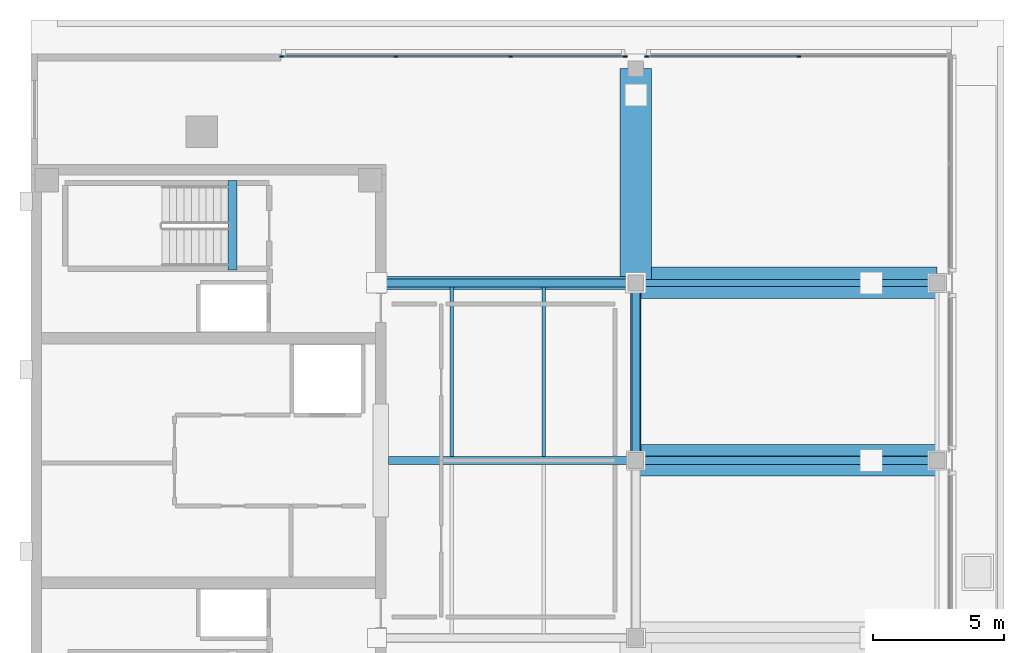
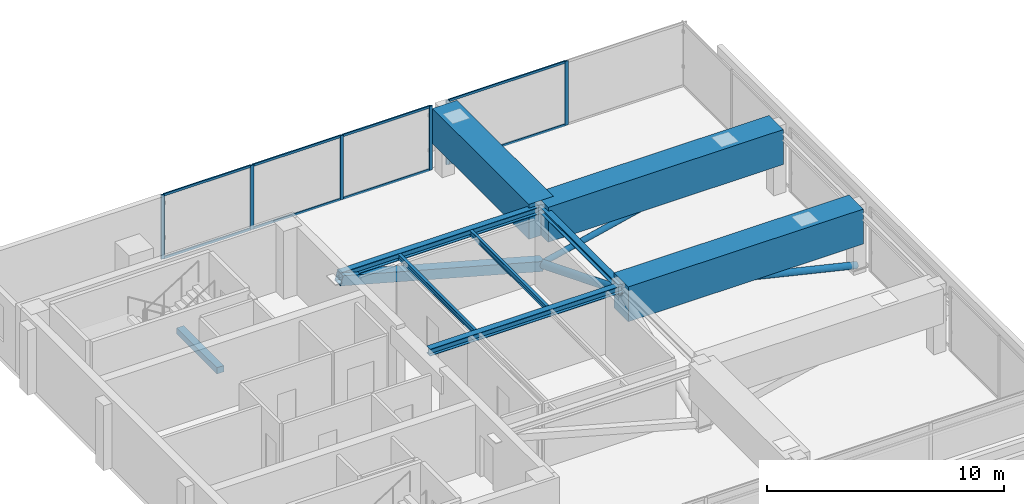
# One storey, part 3 of 11: 18 members, 9 beams, 2 elements without a shape of their own.
"""IFC4 building model written with IfcOpenShell, lengths in metres."""

from ifc_helpers import new_model, si_unit, direction, frame, origin, origin_2d, place, context, subcontext, project, spatial, rectangle, hollow_rectangle, hollow_circle, i_section, extrude, material, layer, layer_set, material_profile, profile_set, type_object, element, aggregate, save


model = new_model("IFC4")

# Units and contexts
model_context = context("Model", 3, precision=1e-05, world=origin(), true_north=direction((0.0, 1.0)))
body_context = subcontext(model_context, "Body", "Model", "MODEL_VIEW")
ifc_project = project(units=[si_unit("LENGTHUNIT", "METRE"), si_unit("AREAUNIT", "SQUARE_METRE"), si_unit("VOLUMEUNIT", "CUBIC_METRE"), si_unit("PLANEANGLEUNIT", "RADIAN"), si_unit("MASSUNIT", "GRAM", prefix="KILO")], contexts=[model_context])

# Site, building, storey
site_placement = place(None, origin())
site = spatial("IfcSite", under=ifc_project, at=site_placement, CompositionType="ELEMENT")
building_placement = place(site_placement, origin())
building = spatial("IfcBuilding", under=site, at=building_placement, Name="Kinhvarn Gate Tower", CompositionType="ELEMENT")
storey_placement = place(building_placement, frame((0.0, 0.0, 307.550048828125)))
storey = spatial("IfcBuildingStorey", under=building, at=storey_placement, Name="L81", CompositionType="ELEMENT", Elevation=307.550048828125)

# Beams
ifc_material_1 = material(Name="Concrete C50/60", Category="concrete")
ifc_material_profile_1 = material_profile(ifc_material_1, rectangle(XDim=0.340087890625, YDim=0.320068359375, at=origin_2d()), Name="RC 340x320")
ifc_profile_set_1 = profile_set([ifc_material_profile_1], Name="Concrete C50/60")
beam_type_1 = type_object("IfcBeamType", Name="BM-LND-500", PredefinedType="BEAM", material=ifc_profile_set_1)
beam_1_placement = place(storey_placement, frame((12.1650390625, 32.5, -0.16015625), z_axis=(0.0, 1.0, 0.0), x_axis=(-1.0, 0.0, 0.0)))
element("IfcBeam", 1, at=beam_1_placement, inside=storey, type_object=beam_type_1, Name="Stair ST2 Landing Nosing Beam (L81)", PredefinedType="BEAM", context=body_context, shape_type="SweptSolid", body=[
    extrude(rectangle(XDim=0.340087890625, YDim=0.320068359375, at=origin_2d()), origin(), (0.0, 0.0, 1.0), 3.39990234375),
])
ifc_material_profile_2 = material_profile(ifc_material_1, rectangle(XDim=1.199951171875, YDim=1.800048828125, at=origin_2d()), Name="RC 1200x1800")
ifc_profile_set_2 = profile_set([ifc_material_profile_2], Name="Concrete C50/60")
beam_type_2 = type_object("IfcBeamType", Name="BM-TG-1800", PredefinedType="BEAM", material=ifc_profile_set_2)
for number, where, z_axis, x_axis, name in (
    (2, (27.5, 25.25, 2.599853515625), (1.0, 0.0, 0.0), (0.0, 1.0, 0.0), "Setback Transfer Girder TG-03-L82-CCR-E2"),
    (3, (27.5, 32.0, 2.599853515625), (1.0, 0.0, 0.0), (0.0, 1.0, 0.0), "Setback Transfer Girder TG-03-L82-CCR-E3"),
):
    element("IfcBeam", number, at=place(storey_placement, frame(where, z_axis=z_axis, x_axis=x_axis)), inside=storey, type_object=beam_type_2, Name=name, PredefinedType="BEAM", context=body_context, shape_type="SweptSolid", body=[
        extrude(rectangle(XDim=1.199951171875, YDim=1.800048828125, at=origin_2d()), origin(), (0.0, 0.0, 1.0), 11.449951171875),
    ])
beam_2_placement = place(storey_placement, frame((27.5, 32.0, 2.599853515625), z_axis=(0.0, 1.0, 0.0), x_axis=(-1.0, 0.0, 0.0)))
element("IfcBeam", 4, at=beam_2_placement, inside=storey, type_object=beam_type_2, Name="Setback Transfer Girder TG-03-L82-CCR-N1", PredefinedType="BEAM", context=body_context, shape_type="SweptSolid", body=[
    extrude(rectangle(XDim=1.199951171875, YDim=1.800048828125, at=origin_2d()), origin(), (0.0, 0.0, 1.0), 8.14990234375),
])

# Curtain wall, members
ifc_material_2 = material(Name="Anodised aluminium AW-6063", Category="aluminium")
ifc_layer = layer(ifc_material_2, 0.199951171875)
ifc_layer_set = layer_set([ifc_layer], Name="Anodised aluminium AW-6063")
curtain_wall_type = type_object("IfcCurtainWallType", Name="CW-SYS-6", PredefinedType="NOTDEFINED", material=ifc_layer_set)
curtain_wall_1_placement = place(storey_placement, origin())
curtain_wall_1 = element("IfcCurtainWall", 5, at=curtain_wall_1_placement, inside=storey, type_object=curtain_wall_type, Name="Curtain Wall CW6 (L81)", PredefinedType="NOTDEFINED")
ifc_material_profile_3 = material_profile(ifc_material_2, rectangle(XDim=0.06494140625, YDim=0.159912109375, at=origin_2d()), Name="ALU 65x160")
ifc_profile_set_3 = profile_set([ifc_material_profile_3], Name="Anodised aluminium AW-6063")
member_type_1 = type_object("IfcMemberType", Name="CW-MUL-160", PredefinedType="MULLION", material=ifc_profile_set_3)
member_1_placement = place(storey_placement, frame((33.68994140625, 40.610107421875, 0.0), z_axis=(0.0, 0.0, 1.0), x_axis=(0.0, -1.0, 0.0)))
member_1 = element("IfcMember", 6, at=member_1_placement, type_object=member_type_1, Name="CW6 mullion 2", PredefinedType="MULLION", context=body_context, shape_type="SweptSolid", body=[
    extrude(rectangle(XDim=0.06494140625, YDim=0.159912109375, at=origin_2d()), origin(), (0.0, 0.0, 1.0), 3.300048828125),
])
member_2_placement = place(storey_placement, frame((27.91259765625, 40.610107421875, 0.0), z_axis=(0.0, 0.0, 1.0), x_axis=(0.0, -1.0, 0.0)))
member_2 = element("IfcMember", 7, at=member_2_placement, type_object=member_type_1, Name="CW6 mullion 3", PredefinedType="MULLION", context=body_context, shape_type="SweptSolid", body=[
    extrude(rectangle(XDim=0.06494140625, YDim=0.159912109375, at=origin_2d()), origin(), (0.0, 0.0, 1.0), 3.300048828125),
])

curtain_wall_2_placement = place(storey_placement, origin())
curtain_wall_2 = element("IfcCurtainWall", 8, at=curtain_wall_2_placement, inside=storey, type_object=curtain_wall_type, Name="Curtain Wall CW6 (L81)", PredefinedType="NOTDEFINED")
member_3_placement = place(storey_placement, frame((27.08740234375, 40.610107421875, 0.0), z_axis=(0.0, 0.0, 1.0), x_axis=(0.0, -1.0, 0.0)))
member_3 = element("IfcMember", 9, at=member_3_placement, type_object=member_type_1, Name="CW6 mullion 1", PredefinedType="MULLION", context=body_context, shape_type="SweptSolid", body=[
    extrude(rectangle(XDim=0.06494140625, YDim=0.159912109375, at=origin_2d()), origin(), (0.0, 0.0, 1.0), 3.300048828125),
])
member_4_placement = place(storey_placement, frame((22.74658203125, 40.610107421875, 0.0), z_axis=(0.0, 0.0, 1.0), x_axis=(0.0, -1.0, 0.0)))
member_4 = element("IfcMember", 10, at=member_4_placement, type_object=member_type_1, Name="CW6 mullion 2", PredefinedType="MULLION", context=body_context, shape_type="SweptSolid", body=[
    extrude(rectangle(XDim=0.06494140625, YDim=0.159912109375, at=origin_2d()), origin(), (0.0, 0.0, 1.0), 3.300048828125),
])
member_5_placement = place(storey_placement, frame((18.373291015625, 40.610107421875, 0.0), z_axis=(0.0, 0.0, 1.0), x_axis=(0.0, -1.0, 0.0)))
member_5 = element("IfcMember", 11, at=member_5_placement, type_object=member_type_1, Name="CW6 mullion 3", PredefinedType="MULLION", context=body_context, shape_type="SweptSolid", body=[
    extrude(rectangle(XDim=0.06494140625, YDim=0.159912109375, at=origin_2d()), origin(), (0.0, 0.0, 1.0), 3.300048828125),
])
member_6_placement = place(storey_placement, frame((14.032470703125, 40.610107421875, 0.0), z_axis=(0.0, 0.0, 1.0), x_axis=(0.0, -1.0, 0.0)))
member_6 = element("IfcMember", 12, at=member_6_placement, type_object=member_type_1, Name="CW6 mullion 4", PredefinedType="MULLION", context=body_context, shape_type="SweptSolid", body=[
    extrude(rectangle(XDim=0.06494140625, YDim=0.159912109375, at=origin_2d()), origin(), (0.0, 0.0, 1.0), 3.300048828125),
])

# Member
ifc_material_profile_4 = material_profile(ifc_material_2, rectangle(XDim=0.06494140625, YDim=0.1201171875, at=origin_2d()), Name="ALU 65x120")
ifc_profile_set_4 = profile_set([ifc_material_profile_4], Name="Anodised aluminium AW-6063")
member_type_2 = type_object("IfcMemberType", Name="CW-TRN-120", PredefinedType="USERDEFINED", material=ifc_profile_set_4)
member_7_placement = place(storey_placement, frame((33.657470703125, 40.610107421875, 0.032470703125), z_axis=(-1.0, 0.0, 0.0), x_axis=(0.0, -1.0, 0.0)))
member_7 = element("IfcMember", 13, at=member_7_placement, type_object=member_type_2, Name="CW6 transom 2.1", ObjectType="TRANSOM", PredefinedType="USERDEFINED", context=body_context, shape_type="SweptSolid", body=[
    extrude(rectangle(XDim=0.06494140625, YDim=0.1201171875, at=origin_2d()), origin(), (0.0, 0.0, 1.0), 5.71240234375),
])

member_8_placement = place(storey_placement, frame((33.657470703125, 40.610107421875, 3.267333984375), z_axis=(-1.0, 0.0, 0.0), x_axis=(0.0, -1.0, 0.0)))
member_8 = element("IfcMember", 14, at=member_8_placement, type_object=member_type_2, Name="CW6 transom 2.2", ObjectType="TRANSOM", PredefinedType="USERDEFINED", context=body_context, shape_type="SweptSolid", body=[
    extrude(rectangle(XDim=0.06494140625, YDim=0.1201171875, at=origin_2d()), origin(), (0.0, 0.0, 1.0), 5.71240234375),
])

aggregate(curtain_wall_1, [member_1, member_2, member_7, member_8])

member_9_placement = place(storey_placement, frame((27.054931640625, 40.610107421875, 0.032470703125), z_axis=(-1.0, 0.0, 0.0), x_axis=(0.0, -1.0, 0.0)))
member_9 = element("IfcMember", 15, at=member_9_placement, type_object=member_type_2, Name="CW6 transom 1.1", ObjectType="TRANSOM", PredefinedType="USERDEFINED", context=body_context, shape_type="SweptSolid", body=[
    extrude(rectangle(XDim=0.06494140625, YDim=0.1201171875, at=origin_2d()), origin(), (0.0, 0.0, 1.0), 4.27587890625),
])

member_10_placement = place(storey_placement, frame((27.054931640625, 40.610107421875, 3.267333984375), z_axis=(-1.0, 0.0, 0.0), x_axis=(0.0, -1.0, 0.0)))
member_10 = element("IfcMember", 16, at=member_10_placement, type_object=member_type_2, Name="CW6 transom 1.2", ObjectType="TRANSOM", PredefinedType="USERDEFINED", context=body_context, shape_type="SweptSolid", body=[
    extrude(rectangle(XDim=0.06494140625, YDim=0.1201171875, at=origin_2d()), origin(), (0.0, 0.0, 1.0), 4.27587890625),
])

member_11_placement = place(storey_placement, frame((22.714111328125, 40.610107421875, 0.032470703125), z_axis=(-1.0, 0.0, 0.0), x_axis=(0.0, -1.0, 0.0)))
member_11 = element("IfcMember", 17, at=member_11_placement, type_object=member_type_2, Name="CW6 transom 2.1", ObjectType="TRANSOM", PredefinedType="USERDEFINED", context=body_context, shape_type="SweptSolid", body=[
    extrude(rectangle(XDim=0.06494140625, YDim=0.1201171875, at=origin_2d()), origin(), (0.0, 0.0, 1.0), 4.308349609375),
])

member_12_placement = place(storey_placement, frame((22.714111328125, 40.610107421875, 3.267333984375), z_axis=(-1.0, 0.0, 0.0), x_axis=(0.0, -1.0, 0.0)))
member_12 = element("IfcMember", 18, at=member_12_placement, type_object=member_type_2, Name="CW6 transom 2.2", ObjectType="TRANSOM", PredefinedType="USERDEFINED", context=body_context, shape_type="SweptSolid", body=[
    extrude(rectangle(XDim=0.06494140625, YDim=0.1201171875, at=origin_2d()), origin(), (0.0, 0.0, 1.0), 4.308349609375),
])

member_13_placement = place(storey_placement, frame((18.3408203125, 40.610107421875, 0.032470703125), z_axis=(-1.0, 0.0, 0.0), x_axis=(0.0, -1.0, 0.0)))
member_13 = element("IfcMember", 19, at=member_13_placement, type_object=member_type_2, Name="CW6 transom 3.1", ObjectType="TRANSOM", PredefinedType="USERDEFINED", context=body_context, shape_type="SweptSolid", body=[
    extrude(rectangle(XDim=0.06494140625, YDim=0.1201171875, at=origin_2d()), origin(), (0.0, 0.0, 1.0), 4.27587890625),
])

member_14_placement = place(storey_placement, frame((18.3408203125, 40.610107421875, 3.267333984375), z_axis=(-1.0, 0.0, 0.0), x_axis=(0.0, -1.0, 0.0)))
member_14 = element("IfcMember", 20, at=member_14_placement, type_object=member_type_2, Name="CW6 transom 3.2", ObjectType="TRANSOM", PredefinedType="USERDEFINED", context=body_context, shape_type="SweptSolid", body=[
    extrude(rectangle(XDim=0.06494140625, YDim=0.1201171875, at=origin_2d()), origin(), (0.0, 0.0, 1.0), 4.27587890625),
])

aggregate(curtain_wall_2, [member_3, member_4, member_5, member_6, member_9, member_10, member_11, member_12, member_13, member_14])

# Members
ifc_material_3 = material(Name="Steel S355", Category="steel")
ifc_material_profile_5 = material_profile(ifc_material_3, hollow_circle(Radius=0.136474609375, WallThickness=0.011962890625, at=origin_2d()), Name="CHS 273x12")
ifc_profile_set_5 = profile_set([ifc_material_profile_5], Name="Steel S355")
member_type_3 = type_object("IfcMemberType", Name="MBR-CHS273x12", PredefinedType="BRACE", material=ifc_profile_set_5)
member_15_placement = place(storey_placement, frame((27.5, 32.0, 0.25), z_axis=(0.973306279804, 0.0, 0.229510099327), x_axis=(0.0, 1.0, 0.0)))
element("IfcMember", 21, at=member_15_placement, inside=storey, type_object=member_type_3, Name="Crown Frame Strut BR-11 (CHS 273x12)", PredefinedType="BRACE", context=body_context, shape_type="SweptSolid", body=[
    extrude(hollow_circle(Radius=0.136474609375, WallThickness=0.011962890625, at=origin_2d()), origin(), (0.0, 0.0, 1.0), 11.763916015625),
])
ifc_material_profile_6 = material_profile(ifc_material_3, hollow_circle(Radius=0.161865234375, WallThickness=0.01611328125, at=origin_2d()), Name="CHS 323.9x16")
ifc_profile_set_6 = profile_set([ifc_material_profile_6], Name="Steel S355")
member_type_4 = type_object("IfcMemberType", Name="MBR-CHS323_9x16", PredefinedType="BRACE", material=ifc_profile_set_6)
member_16_placement = place(storey_placement, frame((27.5, 25.25, 2.949951171875), z_axis=(0.973306279804, 0.0, -0.229510099327), x_axis=(0.0, 1.0, 0.0)))
element("IfcMember", 22, at=member_16_placement, inside=storey, type_object=member_type_4, Name="Crown Frame Strut BR-12 (CHS 323.9x16)", PredefinedType="BRACE", context=body_context, shape_type="SweptSolid", body=[
    extrude(hollow_circle(Radius=0.161865234375, WallThickness=0.01611328125, at=origin_2d()), origin(), (0.0, 0.0, 1.0), 11.763916015625),
])
ifc_material_profile_7 = material_profile(ifc_material_3, hollow_circle(Radius=0.203125, WallThickness=0.02001953125, at=origin_2d()), Name="CHS 406.4x20")
ifc_profile_set_7 = profile_set([ifc_material_profile_7], Name="Steel S355")
member_type_5 = type_object("IfcMemberType", Name="MBR-CHS406_4x20", PredefinedType="STRUT", material=ifc_profile_set_7)
member_17_placement = place(storey_placement, frame((27.5, 25.25, 2.949951171875), z_axis=(0.0, 0.928479006877, -0.371384886323), x_axis=(-1.0, 0.0, 0.0)))
element("IfcMember", 23, at=member_17_placement, inside=storey, type_object=member_type_5, Name="Crown Frame Strut SR-14 (CHS 406.4x20)", PredefinedType="STRUT", context=body_context, shape_type="SweptSolid", body=[
    extrude(hollow_circle(Radius=0.203125, WallThickness=0.02001953125, at=origin_2d()), origin(), (0.0, 0.0, 1.0), 7.27001953125),
])
ifc_material_profile_8 = material_profile(ifc_material_3, hollow_rectangle(XDim=0.5, YDim=0.5, WallThickness=0.02490234375, at=origin_2d()), Name="SHS 500x500x25")
ifc_profile_set_8 = profile_set([ifc_material_profile_8], Name="Steel S355")
member_type_6 = type_object("IfcMemberType", Name="MBR-SHS500x500x25", PredefinedType="BRACE", material=ifc_profile_set_8)
member_18_placement = place(storey_placement, frame((17.64990234375, 32.0, 2.949951171875), z_axis=(0.964425984985, 0.0, -0.264353020571), x_axis=(0.0, 1.0, 0.0)))
element("IfcMember", 24, at=member_18_placement, inside=storey, type_object=member_type_6, Name="Crown Frame Strut BR-10 (SHS 500x500x25)", PredefinedType="BRACE", context=body_context, shape_type="SweptSolid", body=[
    extrude(hollow_rectangle(XDim=0.5, YDim=0.5, WallThickness=0.02490234375, at=origin_2d()), origin(), (0.0, 0.0, 1.0), 10.21337890625),
])

# Beams
ifc_material_profile_9 = material_profile(ifc_material_3, i_section(OverallWidth=0.300048828125, OverallDepth=0.300048828125, WebThickness=0.010986328125, FlangeThickness=0.01904296875, at=origin_2d()), Name="HEB 300")
ifc_profile_set_9 = profile_set([ifc_material_profile_9], Name="Steel S355")
beam_type_3 = type_object("IfcBeamType", Name="STL-HEB300", PredefinedType="BEAM", material=ifc_profile_set_9)
beam_3_placement = place(storey_placement, frame((27.5, 25.25, 3.14990234375), z_axis=(0.0, 1.0, 0.0), x_axis=(-1.0, 0.0, 0.0)))
element("IfcBeam", 25, at=beam_3_placement, inside=storey, type_object=beam_type_3, Name="Floor Beam PG-10 (L81 CR-NS-M2)", PredefinedType="BEAM", context=body_context, shape_type="SweptSolid", body=[
    extrude(i_section(OverallWidth=0.300048828125, OverallDepth=0.300048828125, WebThickness=0.010986328125, FlangeThickness=0.01904296875, at=origin_2d()), origin(), (0.0, 0.0, 1.0), 6.75),
])
ifc_material_profile_10 = material_profile(ifc_material_3, i_section(OverallWidth=0.300048828125, OverallDepth=0.360107421875, WebThickness=0.012451171875, FlangeThickness=0.0224609375, at=origin_2d()), Name="HEB 360")
ifc_profile_set_10 = profile_set([ifc_material_profile_10], Name="Steel S355")
beam_type_4 = type_object("IfcBeamType", Name="STL-HEB360", PredefinedType="BEAM", material=ifc_profile_set_10)
beam_4_placement = place(storey_placement, frame((18.10009765625, 25.25, 3.119873046875), z_axis=(1.0, 0.0, 0.0), x_axis=(0.0, 1.0, 0.0)))
element("IfcBeam", 26, at=beam_4_placement, inside=storey, type_object=beam_type_4, Name="Floor Beam PG-11 (L81 CR-EW1-25)", PredefinedType="BEAM", context=body_context, shape_type="SweptSolid", body=[
    extrude(i_section(OverallWidth=0.300048828125, OverallDepth=0.360107421875, WebThickness=0.012451171875, FlangeThickness=0.0224609375, at=origin_2d()), origin(), (0.0, 0.0, 1.0), 9.39990234375),
])
beam_5_placement = place(storey_placement, frame((17.64990234375, 32.0, 3.119873046875), z_axis=(1.0, 0.0, 0.0), x_axis=(0.0, 1.0, 0.0)))
element("IfcBeam", 27, at=beam_5_placement, inside=storey, type_object=beam_type_4, Name="Floor Beam PG-11 (L81 CR-EW1-32)", PredefinedType="BEAM", context=body_context, shape_type="SweptSolid", body=[
    extrude(i_section(OverallWidth=0.300048828125, OverallDepth=0.360107421875, WebThickness=0.012451171875, FlangeThickness=0.0224609375, at=origin_2d()), origin(), (0.0, 0.0, 1.0), 9.85009765625),
])
ifc_material_profile_11 = material_profile(ifc_material_3, i_section(OverallWidth=0.135009765625, OverallDepth=0.27001953125, WebThickness=0.006591796875, FlangeThickness=0.01025390625, at=origin_2d()), Name="IPE 270")
ifc_profile_set_11 = profile_set([ifc_material_profile_11], Name="Steel S355")
beam_type_5 = type_object("IfcBeamType", Name="STL-IPE270", PredefinedType="JOIST", material=ifc_profile_set_11)
for number, where, z_axis, x_axis, name in (
    (28, (20.5, 25.39990234375, 3.1650390625), (0.0, 1.0, 0.0), (-1.0, 0.0, 0.0), "Floor Joist SB-01 (L81 CR-J2-205)"),
    (29, (24.0, 25.39990234375, 3.1650390625), (0.0, 1.0, 0.0), (-1.0, 0.0, 0.0), "Floor Joist SB-01 (L81 CR-J2-240)"),
):
    element("IfcBeam", number, at=place(storey_placement, frame(where, z_axis=z_axis, x_axis=x_axis)), inside=storey, type_object=beam_type_5, Name=name, PredefinedType="JOIST", context=body_context, shape_type="SweptSolid", body=[
        extrude(i_section(OverallWidth=0.135009765625, OverallDepth=0.27001953125, WebThickness=0.006591796875, FlangeThickness=0.01025390625, at=origin_2d()), origin(), (0.0, 0.0, 1.0), 6.4501953125),
    ])

save(model, "model.ifc")
